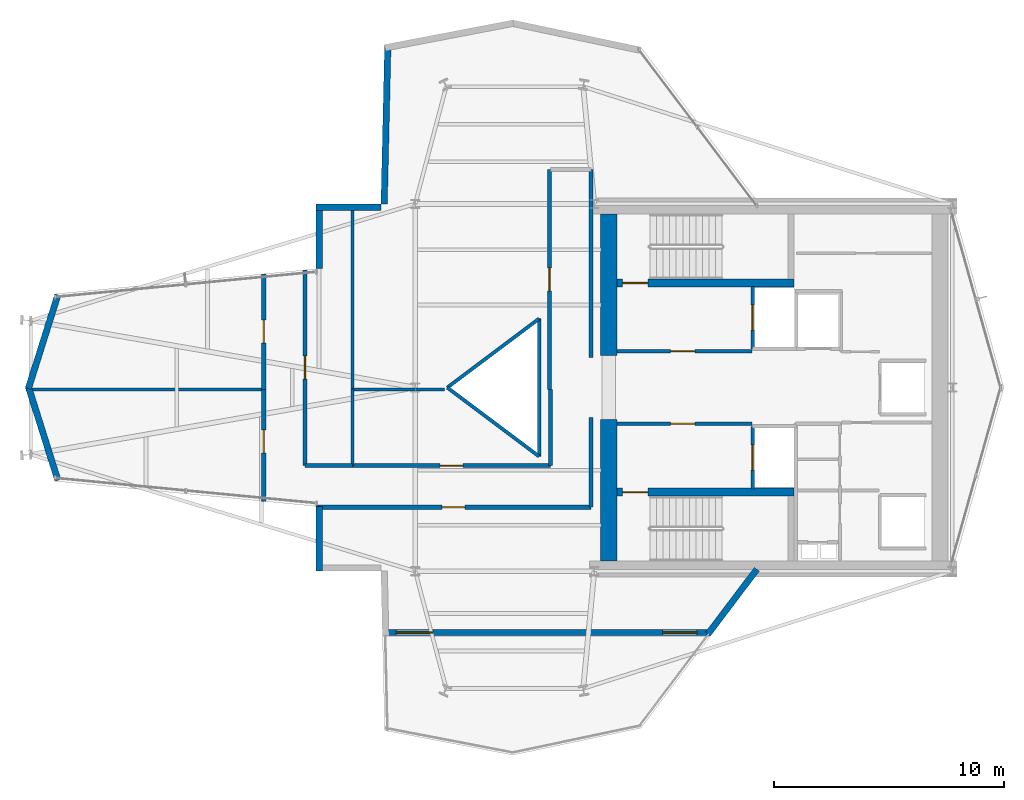
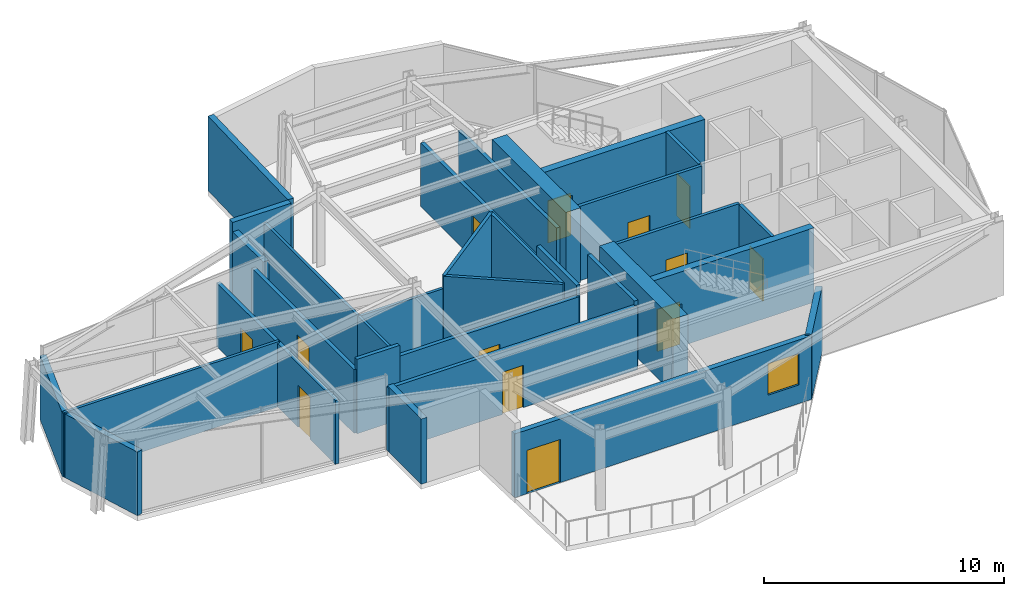
# One storey, part 18 of 21: 33 walls, 13 doors, 1 window, 14 openings.
"""IFC4 building model written with IfcOpenShell, lengths in metres."""

from ifc_helpers import new_model, si_unit, direction, frame, frame_2d, origin, place, context, subcontext, project, spatial, rectangle, extrude, material, layer, layer_set, type_object, element, fill, save


model = new_model("IFC4")

# Units and contexts
model_context = context("Model", 3, precision=1e-05, world=origin(), true_north=direction((0.0, 1.0)))
body_context = subcontext(model_context, "Body", "Model", "MODEL_VIEW")
ifc_project = project(units=[si_unit("LENGTHUNIT", "METRE"), si_unit("AREAUNIT", "SQUARE_METRE"), si_unit("VOLUMEUNIT", "CUBIC_METRE"), si_unit("PLANEANGLEUNIT", "RADIAN"), si_unit("MASSUNIT", "GRAM", prefix="KILO")], contexts=[model_context])

# Site, building, storey
site_placement = place(None, origin())
site = spatial("IfcSite", under=ifc_project, at=site_placement, CompositionType="ELEMENT")
building_placement = place(site_placement, origin())
building = spatial("IfcBuilding", under=site, at=building_placement, Name="Veymaron Broadcast Tower", CompositionType="ELEMENT")
storey_placement = place(building_placement, frame((0.0, 0.0, 240.449951171875)))
storey = spatial("IfcBuildingStorey", under=building, at=storey_placement, Name="L56", CompositionType="ELEMENT", Elevation=240.449951171875)

# Wall, openings, door, window
ifc_material_1 = material(Name="Precast concrete C40/50", Category="concrete")
ifc_layer_1 = layer(ifc_material_1, 0.25)
ifc_layer_set_1 = layer_set([ifc_layer_1], Name="Precast concrete C40/50")
wall_type_1 = type_object("IfcWallType", Name="WALL-EXT-250", PredefinedType="STANDARD", material=ifc_layer_set_1)
wall_1_placement = place(storey_placement, frame((29.771484375, 13.3291015625, 0.0), z_axis=(0.0, 0.0, 1.0), x_axis=(1.0, 0.0, 0.0)))
wall_1 = element("IfcWall", 1, at=wall_1_placement, inside=storey, type_object=wall_type_1, Name="L56 sky-terrace threshold wall", PredefinedType="STANDARD", context=body_context, shape_type="SweptSolid", body=[
    extrude(rectangle(XDim=14.301513671875, YDim=0.25, at=frame_2d((7.15087890625, 0.0))), origin(), (0.0, 0.0, 1.0), 3.240966796875),
])
opening_1_placement = place(wall_1_placement, frame((0.60009765625, 0.0, 0.0)))
opening_1 = element("IfcOpeningElement", 2, at=opening_1_placement, cuts=wall_1, Name="Opening ED-TR1", PredefinedType="OPENING", context=body_context, shape_type="SweptSolid", body=[
    extrude(rectangle(XDim=1.60009765625, YDim=2.199951171875, at=frame_2d((0.800048828125, 1.10009765625))), frame((0.0, 0.135009765625, 0.0), z_axis=(0.0, -1.0, 0.0), x_axis=(1.0, 0.0, 0.0)), (0.0, 0.0, 1.0), 0.27001953125),
])
opening_2_placement = place(wall_1_placement, frame((12.200927734375, 0.0, 0.949951171875)))
opening_2 = element("IfcOpeningElement", 3, at=opening_2_placement, cuts=wall_1, Name="Opening WN2", PredefinedType="OPENING", context=body_context, shape_type="SweptSolid", body=[
    extrude(rectangle(XDim=1.5, YDim=1.60009765625, at=frame_2d((0.75, 0.800048828125))), frame((0.0, 0.135009765625, 0.0), z_axis=(0.0, -1.0, 0.0), x_axis=(1.0, 0.0, 0.0)), (0.0, 0.0, 1.0), 0.27001953125),
])
ifc_material_2 = material(Name="Thermally broken aluminium and low-E safety glass", Category="aluminium")
door_type_1 = type_object("IfcDoorType", Name="DOOR-TERR-1600", OperationType="DOUBLE_DOOR_SINGLE_SWING", PredefinedType="DOOR", material=ifc_material_2)
door_1_placement = place(opening_1_placement, frame((1.60009765625, 0.0, 0.0), z_axis=(0.0, 0.0, 1.0), x_axis=(-1.0, 0.0, 0.0)))
door_1 = element("IfcDoor", 4, at=door_1_placement, inside=storey, type_object=door_type_1, Name="L56 sky-terrace access door", OperationType="SINGLE_SWING_LEFT", OverallHeight=2.199951171875, OverallWidth=1.60009765625, PredefinedType="DOOR", context=body_context, shape_type="SweptSolid", body=[
    extrude(rectangle(XDim=1.60009765625, YDim=2.199951171875, at=frame_2d((0.800048828125, 1.10009765625))), frame((0.0, 0.02490234375, 0.0), z_axis=(0.0, -1.0, 0.0), x_axis=(1.0, 0.0, 0.0)), (0.0, 0.0, 1.0), 0.050048828125),
])
fill(opening_1, door_1)
ifc_material_3 = material(Name="Thermally broken aluminium and acoustic laminated glass", Category="aluminium")
window_type = type_object("IfcWindowType", Name="WIN-EXT-1500", PartitioningType="SINGLE_PANEL", PredefinedType="WINDOW", material=ifc_material_3)
window_placement = place(opening_2_placement, origin())
window = element("IfcWindow", 5, at=window_placement, inside=storey, type_object=window_type, Name="L56 sky-terrace viewing window", OverallHeight=1.60009765625, OverallWidth=1.5, PartitioningType="SINGLE_PANEL", PredefinedType="WINDOW", context=body_context, shape_type="SweptSolid", body=[
    extrude(rectangle(XDim=1.5, YDim=1.60009765625, at=frame_2d((0.75, 0.800048828125))), frame((0.0, 0.030029296875, 0.0), z_axis=(0.0, -1.0, 0.0), x_axis=(1.0, 0.0, 0.0)), (0.0, 0.0, 1.0), 0.06005859375),
])
fill(opening_2, window)

# Walls
ifc_layer_2 = layer(ifc_material_1, 0.280029296875)
ifc_layer_set_2 = layer_set([ifc_layer_2], Name="Precast concrete C40/50")
wall_type_2 = type_object("IfcWallType", Name="WALL-EXT-280", PredefinedType="STANDARD", material=ifc_layer_set_2)
wall_2_placement = place(storey_placement, frame((43.961181640625, 13.2734375, 0.0), z_axis=(0.0, 0.0, 1.0), x_axis=(0.602635996318, 0.7980162003, 0.0)))
element("IfcWall", 6, at=wall_2_placement, inside=storey, type_object=wall_type_2, Name="L56 notched corner facade pier 2-1", PredefinedType="STANDARD", context=body_context, shape_type="SweptSolid", body=[
    extrude(rectangle(XDim=3.5224609375, YDim=0.280029296875, at=frame_2d((1.76123046875, 0.0))), origin(), (0.0, 0.0, 1.0), 3.319091796875),
])
wall_3_placement = place(storey_placement, frame((30.00732421875, 38.937744140625, 0.0), z_axis=(0.0, 0.0, 1.0), x_axis=(-0.023173514979, -0.999731458044, 0.0)))
element("IfcWall", 7, at=wall_3_placement, inside=storey, type_object=wall_type_2, Name="L56 notched corner facade pier 10-1", PredefinedType="STANDARD", context=body_context, shape_type="SweptSolid", body=[
    extrude(rectangle(XDim=6.94287109375, YDim=0.280029296875, at=frame_2d((3.471435546875, 0.0))), origin(), (0.0, 0.0, 1.0), 3.7900390625),
])
wall_4_placement = place(storey_placement, frame((29.70654296875, 31.860107421875, 0.0), z_axis=(0.0, 0.0, 1.0), x_axis=(-1.0, 0.0, 0.0)))
element("IfcWall", 8, at=wall_4_placement, inside=storey, type_object=wall_type_2, Name="L56 notched corner facade pier 11-1", PredefinedType="STANDARD", context=body_context, shape_type="SweptSolid", body=[
    extrude(rectangle(XDim=2.818603515625, YDim=0.280029296875, at=frame_2d((1.4091796875, 0.0))), origin(), (0.0, 0.0, 1.0), 3.7900390625),
])
wall_5_placement = place(storey_placement, frame((27.028076171875, 32.0, 0.0), z_axis=(0.0, 0.0, 1.0), x_axis=(0.0, -1.0, 0.0)))
element("IfcWall", 9, at=wall_5_placement, inside=storey, type_object=wall_type_2, Name="L56 notched corner facade pier 12-1", PredefinedType="STANDARD", context=body_context, shape_type="SweptSolid", body=[
    extrude(rectangle(XDim=2.823486328125, YDim=0.280029296875, at=frame_2d((1.41162109375, 0.0))), origin(), (0.0, 0.0, 1.0), 3.319091796875),
])
for number, where, z_axis, x_axis, name in (
    (10, (15.633544921875, 28.038330078125, 0.0), (0.0, 0.0, 1.0), (-0.300156051907, -0.953890111336, 0.0), "L56 notched corner facade pier 14-1"),
    (11, (14.349609375, 24.0419921875, 0.0), (0.0, 0.0, 1.0), (0.300156051907, -0.953890111336, 0.0), "L56 notched corner facade pier 15-1"),
):
    element("IfcWall", number, at=place(storey_placement, frame(where, z_axis=z_axis, x_axis=x_axis)), inside=storey, type_object=wall_type_2, Name=name, PredefinedType="STANDARD", context=body_context, shape_type="SweptSolid", body=[
        extrude(rectangle(XDim=4.277587890625, YDim=0.280029296875, at=frame_2d((2.138671875, 0.0))), origin(), (0.0, 0.0, 1.0), 3.240966796875),
    ])
wall_6_placement = place(storey_placement, frame((27.028076171875, 18.823486328125, 0.0), z_axis=(0.0, 0.0, 1.0), x_axis=(0.0, -1.0, 0.0)))
element("IfcWall", 12, at=wall_6_placement, inside=storey, type_object=wall_type_2, Name="L56 notched corner facade pier 17-1", PredefinedType="STANDARD", context=body_context, shape_type="SweptSolid", body=[
    extrude(rectangle(XDim=2.823486328125, YDim=0.280029296875, at=frame_2d((1.41162109375, 0.0))), origin(), (0.0, 0.0, 1.0), 3.319091796875),
])

# Wall, opening, door
ifc_material_4 = material(Name="Gypsum fireboard and steel stud framing", Category="steel")
ifc_layer_3 = layer(ifc_material_4, 0.14990234375)
ifc_layer_set_3 = layer_set([ifc_layer_3], Name="Gypsum fireboard and steel stud framing")
wall_type_3 = type_object("IfcWallType", Name="WALL-FIRE-150", PredefinedType="PARTITIONING", material=ifc_layer_set_3)
wall_7_placement = place(storey_placement, frame((39.97998046875, 25.574951171875, 0.0), z_axis=(0.0, 0.0, 1.0), x_axis=(1.0, 0.0, 0.0)))
wall_7 = element("IfcWall", 13, at=wall_7_placement, inside=storey, type_object=wall_type_3, Name="L56 partition IW-L56-FFLN-S", PredefinedType="PARTITIONING", context=body_context, shape_type="SweptSolid", body=[
    extrude(rectangle(XDim=5.89990234375, YDim=0.14990234375, at=frame_2d((2.949951171875, 0.0))), origin(), (0.0, 0.0, 1.0), 3.7900390625),
])
opening_3_placement = place(wall_7_placement, frame((2.35009765625, 0.0, 0.0)))
opening_3 = element("IfcOpeningElement", 14, at=opening_3_placement, cuts=wall_7, Name="Opening ID-FL1", PredefinedType="OPENING", context=body_context, shape_type="SweptSolid", body=[
    extrude(rectangle(XDim=1.050048828125, YDim=2.14990234375, at=frame_2d((0.52490234375, 1.074951171875))), frame((0.0, 0.0849609375, 0.0), z_axis=(0.0, -1.0, 0.0), x_axis=(1.0, 0.0, 0.0)), (0.0, 0.0, 1.0), 0.169921875),
])
ifc_material_5 = material(Name="Fire-rated painted hollow steel ASTM A653", Category="steel")
door_type_2 = type_object("IfcDoorType", Name="DOOR-FIRE-1050", OperationType="NOTDEFINED", PredefinedType="DOOR", material=ifc_material_5)
door_2_placement = place(opening_3_placement, origin())
door_2 = element("IfcDoor", 15, at=door_2_placement, inside=storey, type_object=door_type_2, Name="L56 door DR-L56-FFLN", OperationType="SINGLE_SWING_LEFT", OverallHeight=2.14990234375, OverallWidth=1.050048828125, PredefinedType="DOOR", context=body_context, shape_type="SweptSolid", body=[
    extrude(rectangle(XDim=1.050048828125, YDim=2.14990234375, at=frame_2d((0.52490234375, 1.074951171875))), frame((0.0, 0.02490234375, 0.0), z_axis=(0.0, -1.0, 0.0), x_axis=(1.0, 0.0, 0.0)), (0.0, 0.0, 1.0), 0.050048828125),
])
fill(opening_3, door_2)

wall_8_placement = place(storey_placement, frame((39.97998046875, 22.425048828125, 0.0), z_axis=(0.0, 0.0, 1.0), x_axis=(1.0, 0.0, 0.0)))
wall_8 = element("IfcWall", 16, at=wall_8_placement, inside=storey, type_object=wall_type_3, Name="L56 partition IW-L56-FFLS-N", PredefinedType="PARTITIONING", context=body_context, shape_type="SweptSolid", body=[
    extrude(rectangle(XDim=5.89990234375, YDim=0.14990234375, at=frame_2d((2.949951171875, 0.0))), origin(), (0.0, 0.0, 1.0), 3.7900390625),
])
opening_4_placement = place(wall_8_placement, frame((2.35009765625, 0.0, 0.0)))
opening_4 = element("IfcOpeningElement", 17, at=opening_4_placement, cuts=wall_8, Name="Opening ID-FL1", PredefinedType="OPENING", context=body_context, shape_type="SweptSolid", body=[
    extrude(rectangle(XDim=1.050048828125, YDim=2.14990234375, at=frame_2d((0.52490234375, 1.074951171875))), frame((0.0, 0.0849609375, 0.0), z_axis=(0.0, -1.0, 0.0), x_axis=(1.0, 0.0, 0.0)), (0.0, 0.0, 1.0), 0.169921875),
])
door_3_placement = place(opening_4_placement, frame((1.050048828125, 0.0, 0.0), z_axis=(0.0, 0.0, 1.0), x_axis=(-1.0, 0.0, 0.0)))
door_3 = element("IfcDoor", 18, at=door_3_placement, inside=storey, type_object=door_type_2, Name="L56 door DR-L56-FFLS", OperationType="SINGLE_SWING_RIGHT", OverallHeight=2.14990234375, OverallWidth=1.050048828125, PredefinedType="DOOR", context=body_context, shape_type="SweptSolid", body=[
    extrude(rectangle(XDim=1.050048828125, YDim=2.14990234375, at=frame_2d((0.52490234375, 1.074951171875))), frame((0.0, 0.02490234375, 0.0), z_axis=(0.0, -1.0, 0.0), x_axis=(1.0, 0.0, 0.0)), (0.0, 0.0, 1.0), 0.050048828125),
])
fill(opening_4, door_3)

wall_9_placement = place(storey_placement, frame((45.89501953125, 25.68994140625, 0.0), z_axis=(0.0, 0.0, 1.0), x_axis=(0.0, 1.0, 0.0)))
wall_9 = element("IfcWall", 19, at=wall_9_placement, inside=storey, type_object=wall_type_3, Name="L56 partition IW-L56-SHW-FFL-1", PredefinedType="PARTITIONING", context=body_context, shape_type="SweptSolid", body=[
    extrude(rectangle(XDim=2.719970703125, YDim=0.14990234375, at=frame_2d((1.35986328125, 0.0))), origin(), (0.0, 0.0, 1.0), 3.7900390625),
])
opening_5_placement = place(wall_9_placement, frame((0.81005859375, 0.0, 0.0)))
opening_5 = element("IfcOpeningElement", 20, at=opening_5_placement, cuts=wall_9, Name="Opening LD", PredefinedType="OPENING", context=body_context, shape_type="SweptSolid", body=[
    extrude(rectangle(XDim=1.10009765625, YDim=2.14990234375, at=frame_2d((0.550048828125, 1.074951171875))), frame((0.0, 0.0849609375, 0.0), z_axis=(0.0, -1.0, 0.0), x_axis=(1.0, 0.0, 0.0)), (0.0, 0.0, 1.0), 0.169921875),
])
ifc_material_6 = material(Name="Brushed stainless steel AISI 304", Category="steel")
door_type_3 = type_object("IfcDoorType", Name="DOOR-LIFT-1100", OperationType="DOUBLE_DOOR_SLIDING", PredefinedType="DOOR", material=ifc_material_6)
door_4_placement = place(opening_5_placement, frame((1.10009765625, 0.0, 0.0), z_axis=(0.0, 0.0, 1.0), x_axis=(-1.0, 0.0, 0.0)))
door_4 = element("IfcDoor", 21, at=door_4_placement, inside=storey, type_object=door_type_3, Name="L56 door LD-L56-FFL-1", OperationType="DOUBLE_DOOR_SLIDING", OverallHeight=2.14990234375, OverallWidth=1.10009765625, PredefinedType="DOOR", context=body_context, shape_type="SweptSolid", body=[
    extrude(rectangle(XDim=1.10009765625, YDim=2.14990234375, at=frame_2d((0.550048828125, 1.074951171875))), frame((0.0, 0.02490234375, 0.0), z_axis=(0.0, -1.0, 0.0), x_axis=(1.0, 0.0, 0.0)), (0.0, 0.0, 1.0), 0.050048828125),
])
fill(opening_5, door_4)

wall_10_placement = place(storey_placement, frame((45.89501953125, 19.590087890625, 0.0), z_axis=(0.0, 0.0, 1.0), x_axis=(0.0, 1.0, 0.0)))
wall_10 = element("IfcWall", 22, at=wall_10_placement, inside=storey, type_object=wall_type_3, Name="L56 partition IW-L56-SHW-FFL-2", PredefinedType="PARTITIONING", context=body_context, shape_type="SweptSolid", body=[
    extrude(rectangle(XDim=2.719970703125, YDim=0.14990234375, at=frame_2d((1.35986328125, 0.0))), origin(), (0.0, 0.0, 1.0), 3.7900390625),
])
opening_6_placement = place(wall_10_placement, frame((0.81005859375, 0.0, 0.0)))
opening_6 = element("IfcOpeningElement", 23, at=opening_6_placement, cuts=wall_10, Name="Opening LD", PredefinedType="OPENING", context=body_context, shape_type="SweptSolid", body=[
    extrude(rectangle(XDim=1.10009765625, YDim=2.14990234375, at=frame_2d((0.550048828125, 1.074951171875))), frame((0.0, 0.0849609375, 0.0), z_axis=(0.0, -1.0, 0.0), x_axis=(1.0, 0.0, 0.0)), (0.0, 0.0, 1.0), 0.169921875),
])
door_5_placement = place(opening_6_placement, frame((1.10009765625, 0.0, 0.0), z_axis=(0.0, 0.0, 1.0), x_axis=(-1.0, 0.0, 0.0)))
door_5 = element("IfcDoor", 24, at=door_5_placement, inside=storey, type_object=door_type_3, Name="L56 door LD-L56-FFL-2", OperationType="DOUBLE_DOOR_SLIDING", OverallHeight=2.14990234375, OverallWidth=1.10009765625, PredefinedType="DOOR", context=body_context, shape_type="SweptSolid", body=[
    extrude(rectangle(XDim=1.10009765625, YDim=2.14990234375, at=frame_2d((0.550048828125, 1.074951171875))), frame((0.0, 0.02490234375, 0.0), z_axis=(0.0, -1.0, 0.0), x_axis=(1.0, 0.0, 0.0)), (0.0, 0.0, 1.0), 0.050048828125),
])
fill(opening_6, door_5)

ifc_material_7 = material(Name="Concrete C40/50", Category="concrete")
ifc_layer_4 = layer(ifc_material_7, 0.179931640625)
ifc_layer_set_4 = layer_set([ifc_layer_4], Name="Concrete C40/50")
wall_type_4 = type_object("IfcWallType", Name="WALL-FIRE-180", PredefinedType="SOLIDWALL", material=ifc_layer_set_4)
wall_11_placement = place(storey_placement, frame((26.887939453125, 18.7890625, 0.0), z_axis=(0.0, 0.0, 1.0), x_axis=(1.0, 0.0, 0.0)))
wall_11 = element("IfcWall", 25, at=wall_11_placement, inside=storey, type_object=wall_type_4, Name="L56 partition IW-L56-P01", PredefinedType="SOLIDWALL", context=body_context, shape_type="SweptSolid", body=[
    extrude(rectangle(XDim=11.962158203125, YDim=0.179931640625, at=frame_2d((5.98095703125, 0.0))), origin(), (0.0, 0.0, 1.0), 3.240966796875),
])
opening_7_placement = place(wall_11_placement, frame((5.48095703125, 0.0, 0.0)))
opening_7 = element("IfcOpeningElement", 26, at=opening_7_placement, cuts=wall_11, Name="Opening ID-RM3", PredefinedType="OPENING", context=body_context, shape_type="SweptSolid", body=[
    extrude(rectangle(XDim=1.0, YDim=2.14990234375, at=frame_2d((0.5, 1.074951171875))), frame((0.0, 0.10009765625, 0.0), z_axis=(0.0, -1.0, 0.0), x_axis=(1.0, 0.0, 0.0)), (0.0, 0.0, 1.0), 0.199951171875),
])
ifc_material_8 = material(Name="Acoustic solid-core European oak veneer timber", Category="wood")
door_type_4 = type_object("IfcDoorType", Name="DOOR-INT-1000", OperationType="NOTDEFINED", PredefinedType="DOOR", material=ifc_material_8)
door_6_placement = place(opening_7_placement, frame((1.0, 0.0, 0.0), z_axis=(0.0, 0.0, 1.0), x_axis=(-1.0, 0.0, 0.0)))
door_6 = element("IfcDoor", 27, at=door_6_placement, inside=storey, type_object=door_type_4, Name="L56 door DR-L56-P01", OperationType="SINGLE_SWING_RIGHT", OverallHeight=2.14990234375, OverallWidth=1.0, PredefinedType="DOOR", context=body_context, shape_type="SweptSolid", body=[
    extrude(rectangle(XDim=1.0, YDim=2.14990234375, at=frame_2d((0.5, 1.074951171875))), frame((0.0, 0.02490234375, 0.0), z_axis=(0.0, -1.0, 0.0), x_axis=(1.0, 0.0, 0.0)), (0.0, 0.0, 1.0), 0.050048828125),
])
fill(opening_7, door_6)

wall_12_placement = place(storey_placement, frame((24.60009765625, 19.043701171875, 0.0), z_axis=(0.0, 0.0, 1.0), x_axis=(0.0, 1.0, 0.0)))
wall_12 = element("IfcWall", 28, at=wall_12_placement, inside=storey, type_object=wall_type_4, Name="L56 partition IW-L56-P03", PredefinedType="SOLIDWALL", context=body_context, shape_type="SweptSolid", body=[
    extrude(rectangle(XDim=4.874267578125, YDim=0.179931640625, at=frame_2d((2.43701171875, 0.0))), origin(), (0.0, 0.0, 1.0), 3.240966796875),
])
opening_8_placement = place(wall_12_placement, frame((2.1171875, 0.0, 0.0)))
opening_8 = element("IfcOpeningElement", 29, at=opening_8_placement, cuts=wall_12, Name="Opening ID-RM3", PredefinedType="OPENING", context=body_context, shape_type="SweptSolid", body=[
    extrude(rectangle(XDim=1.0, YDim=2.14990234375, at=frame_2d((0.5, 1.074951171875))), frame((0.0, 0.10009765625, 0.0), z_axis=(0.0, -1.0, 0.0), x_axis=(1.0, 0.0, 0.0)), (0.0, 0.0, 1.0), 0.199951171875),
])
door_7_placement = place(opening_8_placement, origin())
door_7 = element("IfcDoor", 30, at=door_7_placement, inside=storey, type_object=door_type_4, Name="L56 door DR-L56-P03", OperationType="SINGLE_SWING_RIGHT", OverallHeight=2.14990234375, OverallWidth=1.0, PredefinedType="DOOR", context=body_context, shape_type="SweptSolid", body=[
    extrude(rectangle(XDim=1.0, YDim=2.14990234375, at=frame_2d((0.5, 1.074951171875))), frame((0.0, 0.02490234375, 0.0), z_axis=(0.0, -1.0, 0.0), x_axis=(1.0, 0.0, 0.0)), (0.0, 0.0, 1.0), 0.050048828125),
])
fill(opening_8, door_7)

wall_13_placement = place(storey_placement, frame((28.4609375, 20.60009765625, 0.0), z_axis=(0.0, 0.0, 1.0), x_axis=(1.0, 0.0, 0.0)))
wall_13 = element("IfcWall", 31, at=wall_13_placement, inside=storey, type_object=wall_type_4, Name="L56 partition IW-L56-P04", PredefinedType="SOLIDWALL", context=body_context, shape_type="SweptSolid", body=[
    extrude(rectangle(XDim=8.63916015625, YDim=0.179931640625, at=frame_2d((4.319580078125, 0.0))), origin(), (0.0, 0.0, 1.0), 3.240966796875),
])
opening_9_placement = place(wall_13_placement, frame((3.819580078125, 0.0, 0.0)))
opening_9 = element("IfcOpeningElement", 32, at=opening_9_placement, cuts=wall_13, Name="Opening ID-RM3", PredefinedType="OPENING", context=body_context, shape_type="SweptSolid", body=[
    extrude(rectangle(XDim=1.0, YDim=2.14990234375, at=frame_2d((0.5, 1.074951171875))), frame((0.0, 0.10009765625, 0.0), z_axis=(0.0, -1.0, 0.0), x_axis=(1.0, 0.0, 0.0)), (0.0, 0.0, 1.0), 0.199951171875),
])
door_8_placement = place(opening_9_placement, origin())
door_8 = element("IfcDoor", 33, at=door_8_placement, inside=storey, type_object=door_type_4, Name="L56 door DR-L56-P04", OperationType="SINGLE_SWING_LEFT", OverallHeight=2.14990234375, OverallWidth=1.0, PredefinedType="DOOR", context=body_context, shape_type="SweptSolid", body=[
    extrude(rectangle(XDim=1.0, YDim=2.14990234375, at=frame_2d((0.5, 1.074951171875))), frame((0.0, 0.02490234375, 0.0), z_axis=(0.0, -1.0, 0.0), x_axis=(1.0, 0.0, 0.0)), (0.0, 0.0, 1.0), 0.050048828125),
])
fill(opening_9, door_8)

wall_14_placement = place(storey_placement, frame((26.39990234375, 20.60009765625, 0.0), z_axis=(0.0, 0.0, 1.0), x_axis=(0.0, 1.0, 0.0)))
wall_14 = element("IfcWall", 34, at=wall_14_placement, inside=storey, type_object=wall_type_4, Name="L56 partition IW-L56-P06", PredefinedType="SOLIDWALL", context=body_context, shape_type="SweptSolid", body=[
    extrude(rectangle(XDim=8.529296875, YDim=0.179931640625, at=frame_2d((4.2646484375, 0.0))), origin(), (0.0, 0.0, 1.0), 3.240966796875),
])
opening_10_placement = place(wall_14_placement, frame((3.7646484375, 0.0, 0.0)))
opening_10 = element("IfcOpeningElement", 35, at=opening_10_placement, cuts=wall_14, Name="Opening ID-RM3", PredefinedType="OPENING", context=body_context, shape_type="SweptSolid", body=[
    extrude(rectangle(XDim=1.0, YDim=2.14990234375, at=frame_2d((0.5, 1.074951171875))), frame((0.0, 0.10009765625, 0.0), z_axis=(0.0, -1.0, 0.0), x_axis=(1.0, 0.0, 0.0)), (0.0, 0.0, 1.0), 0.199951171875),
])
door_9_placement = place(opening_10_placement, frame((1.0, 0.0, 0.0), z_axis=(0.0, 0.0, 1.0), x_axis=(-1.0, 0.0, 0.0)))
door_9 = element("IfcDoor", 36, at=door_9_placement, inside=storey, type_object=door_type_4, Name="L56 door DR-L56-P06", OperationType="SINGLE_SWING_LEFT", OverallHeight=2.14990234375, OverallWidth=1.0, PredefinedType="DOOR", context=body_context, shape_type="SweptSolid", body=[
    extrude(rectangle(XDim=1.0, YDim=2.14990234375, at=frame_2d((0.5, 1.074951171875))), frame((0.0, 0.02490234375, 0.0), z_axis=(0.0, -1.0, 0.0), x_axis=(1.0, 0.0, 0.0)), (0.0, 0.0, 1.0), 0.050048828125),
])
fill(opening_10, door_9)

wall_15_placement = place(storey_placement, frame((24.60009765625, 23.91796875, 0.0), z_axis=(0.0, 0.0, 1.0), x_axis=(0.0, 1.0, 0.0)))
wall_15 = element("IfcWall", 37, at=wall_15_placement, inside=storey, type_object=wall_type_4, Name="L56 partition IW-L56-P08", PredefinedType="SOLIDWALL", context=body_context, shape_type="SweptSolid", body=[
    extrude(rectangle(XDim=5.038330078125, YDim=0.179931640625, at=frame_2d((2.51904296875, 0.0))), origin(), (0.0, 0.0, 1.0), 3.240966796875),
])
opening_11_placement = place(wall_15_placement, frame((2.01904296875, 0.0, 0.0)))
opening_11 = element("IfcOpeningElement", 38, at=opening_11_placement, cuts=wall_15, Name="Opening ID-RM3", PredefinedType="OPENING", context=body_context, shape_type="SweptSolid", body=[
    extrude(rectangle(XDim=1.0, YDim=2.14990234375, at=frame_2d((0.5, 1.074951171875))), frame((0.0, 0.10009765625, 0.0), z_axis=(0.0, -1.0, 0.0), x_axis=(1.0, 0.0, 0.0)), (0.0, 0.0, 1.0), 0.199951171875),
])
door_10_placement = place(opening_11_placement, origin())
door_10 = element("IfcDoor", 39, at=door_10_placement, inside=storey, type_object=door_type_4, Name="L56 door DR-L56-P08", OperationType="SINGLE_SWING_LEFT", OverallHeight=2.14990234375, OverallWidth=1.0, PredefinedType="DOOR", context=body_context, shape_type="SweptSolid", body=[
    extrude(rectangle(XDim=1.0, YDim=2.14990234375, at=frame_2d((0.5, 1.074951171875))), frame((0.0, 0.02490234375, 0.0), z_axis=(0.0, -1.0, 0.0), x_axis=(1.0, 0.0, 0.0)), (0.0, 0.0, 1.0), 0.050048828125),
])
fill(opening_11, door_10)

wall_16_placement = place(storey_placement, frame((37.050048828125, 23.91796875, 0.0), z_axis=(0.0, 0.0, 1.0), x_axis=(0.0, 1.0, 0.0)))
wall_16 = element("IfcWall", 40, at=wall_16_placement, inside=storey, type_object=wall_type_4, Name="L56 partition IW-L56-P09", PredefinedType="SOLIDWALL", context=body_context, shape_type="SweptSolid", body=[
    extrude(rectangle(XDim=9.58203125, YDim=0.179931640625, at=frame_2d((4.791015625, 0.0))), origin(), (0.0, 0.0, 1.0), 3.240966796875),
])
opening_12_placement = place(wall_16_placement, frame((4.291015625, 0.0, 0.0)))
opening_12 = element("IfcOpeningElement", 41, at=opening_12_placement, cuts=wall_16, Name="Opening ID-RM3", PredefinedType="OPENING", context=body_context, shape_type="SweptSolid", body=[
    extrude(rectangle(XDim=1.0, YDim=2.14990234375, at=frame_2d((0.5, 1.074951171875))), frame((0.0, 0.10009765625, 0.0), z_axis=(0.0, -1.0, 0.0), x_axis=(1.0, 0.0, 0.0)), (0.0, 0.0, 1.0), 0.199951171875),
])
door_11_placement = place(opening_12_placement, origin())
door_11 = element("IfcDoor", 42, at=door_11_placement, inside=storey, type_object=door_type_4, Name="L56 door DR-L56-P09", OperationType="SINGLE_SWING_RIGHT", OverallHeight=2.14990234375, OverallWidth=1.0, PredefinedType="DOOR", context=body_context, shape_type="SweptSolid", body=[
    extrude(rectangle(XDim=1.0, YDim=2.14990234375, at=frame_2d((0.5, 1.074951171875))), frame((0.0, 0.02490234375, 0.0), z_axis=(0.0, -1.0, 0.0), x_axis=(1.0, 0.0, 0.0)), (0.0, 0.0, 1.0), 0.050048828125),
])
fill(opening_12, door_11)

# Walls
wall_17_placement = place(storey_placement, frame((38.85009765625, 18.800048828125, 0.0), z_axis=(0.0, 0.0, 1.0), x_axis=(0.0, 1.0, 0.0)))
element("IfcWall", 43, at=wall_17_placement, inside=storey, type_object=wall_type_4, Name="L56 partition IW-L56-P02", PredefinedType="SOLIDWALL", context=body_context, shape_type="SweptSolid", body=[
    extrude(rectangle(XDim=3.89990234375, YDim=0.179931640625, at=frame_2d((1.949951171875, 0.0))), origin(), (0.0, 0.0, 1.0), 3.468017578125),
])
wall_18_placement = place(storey_placement, frame((37.10009765625, 20.60009765625, 0.0), z_axis=(0.0, 0.0, 1.0), x_axis=(0.0, 1.0, 0.0)))
element("IfcWall", 44, at=wall_18_placement, inside=storey, type_object=wall_type_4, Name="L56 partition IW-L56-P05", PredefinedType="SOLIDWALL", context=body_context, shape_type="SweptSolid", body=[
    extrude(rectangle(XDim=3.31787109375, YDim=0.179931640625, at=frame_2d((1.658935546875, 0.0))), origin(), (0.0, 0.0, 1.0), 3.7900390625),
])
wall_19_placement = place(storey_placement, frame((26.39990234375, 20.60009765625, 0.0), z_axis=(0.0, 0.0, 1.0), x_axis=(1.0, 0.0, 0.0)))
element("IfcWall", 45, at=wall_19_placement, inside=storey, type_object=wall_type_4, Name="L56 partition IW-L56-P07", PredefinedType="SOLIDWALL", context=body_context, shape_type="SweptSolid", body=[
    extrude(rectangle(XDim=2.06103515625, YDim=0.179931640625, at=frame_2d((1.030517578125, 0.0))), origin(), (0.0, 0.0, 1.0), 3.7900390625),
])
wall_20_placement = place(storey_placement, frame((38.85009765625, 25.300048828125, 0.0), z_axis=(0.0, 0.0, 1.0), x_axis=(0.0, 1.0, 0.0)))
element("IfcWall", 46, at=wall_20_placement, inside=storey, type_object=wall_type_4, Name="L56 partition IW-L56-P10", PredefinedType="SOLIDWALL", context=body_context, shape_type="SweptSolid", body=[
    extrude(rectangle(XDim=8.199951171875, YDim=0.179931640625, at=frame_2d((4.10009765625, 0.0))), origin(), (0.0, 0.0, 1.0), 3.240966796875),
])
ifc_material_9 = material(Name="Fire-rated laminated glass in aluminium frame", Category="aluminium")
ifc_layer_5 = layer(ifc_material_9, 0.14990234375)
ifc_layer_set_5 = layer_set([ifc_layer_5], Name="Fire-rated laminated glass in aluminium frame")
wall_type_5 = type_object("IfcWallType", Name="WALL-GLZ-150", PredefinedType="MOVABLE", material=ifc_layer_set_5)
wall_21_placement = place(storey_placement, frame((32.60009765625, 24.0, 0.0), z_axis=(0.0, 0.0, 1.0), x_axis=(0.8, -0.6, 0.0)))
element("IfcWall", 47, at=wall_21_placement, inside=storey, type_object=wall_type_5, Name="L56 partition IW-L56-ATR1", PredefinedType="MOVABLE", context=body_context, shape_type="SweptSolid", body=[
    extrude(rectangle(XDim=5.0, YDim=0.14990234375, at=frame_2d((2.5, 0.0))), origin(), (0.0, 0.0, 1.0), 3.7900390625),
])
wall_22_placement = place(storey_placement, frame((36.60009765625, 21.0, 0.0), z_axis=(0.0, 0.0, 1.0), x_axis=(0.0, 1.0, 0.0)))
element("IfcWall", 48, at=wall_22_placement, inside=storey, type_object=wall_type_5, Name="L56 partition IW-L56-ATR2", PredefinedType="MOVABLE", context=body_context, shape_type="SweptSolid", body=[
    extrude(rectangle(XDim=6.0, YDim=0.14990234375, at=frame_2d((3.0, 0.0))), origin(), (0.0, 0.0, 1.0), 3.7900390625),
])
wall_23_placement = place(storey_placement, frame((36.60009765625, 27.0, 0.0), z_axis=(0.0, 0.0, 1.0), x_axis=(-0.8, -0.6, 0.0)))
element("IfcWall", 49, at=wall_23_placement, inside=storey, type_object=wall_type_5, Name="L56 partition IW-L56-ATR3", PredefinedType="MOVABLE", context=body_context, shape_type="SweptSolid", body=[
    extrude(rectangle(XDim=5.0, YDim=0.14990234375, at=frame_2d((2.5, 0.0))), origin(), (0.0, 0.0, 1.0), 3.7900390625),
])
ifc_material_10 = material(Name="Double-layer acoustic gypsum and stud", Category="gypsum")
ifc_layer_6 = layer(ifc_material_10, 0.135009765625)
ifc_layer_set_6 = layer_set([ifc_layer_6], Name="Double-layer acoustic gypsum and stud")
wall_type_6 = type_object("IfcWallType", Name="WALL-PART-135", PredefinedType="PARTITIONING", material=ifc_layer_set_6)
wall_24_placement = place(storey_placement, frame((14.24169921875, 23.91796875, 0.0), z_axis=(0.0, 0.0, 1.0), x_axis=(1.0, 0.0, 0.0)))
element("IfcWall", 50, at=wall_24_placement, inside=storey, type_object=wall_type_6, Name="L56 partition IW-L56-P12", PredefinedType="PARTITIONING", context=body_context, shape_type="SweptSolid", body=[
    extrude(rectangle(XDim=10.3583984375, YDim=0.135009765625, at=frame_2d((5.17919921875, 0.0))), origin(), (0.0, 0.0, 1.0), 3.319091796875),
])
wall_25_placement = place(storey_placement, frame((28.4609375, 20.60009765625, 0.0), z_axis=(0.0, 0.0, 1.0), x_axis=(0.0, 1.0, 0.0)))
element("IfcWall", 51, at=wall_25_placement, inside=storey, type_object=wall_type_6, Name="L56 partition IW-L56-P13", PredefinedType="PARTITIONING", context=body_context, shape_type="SweptSolid", body=[
    extrude(rectangle(XDim=3.31787109375, YDim=0.135009765625, at=frame_2d((1.658935546875, 0.0))), origin(), (0.0, 0.0, 1.0), 3.240966796875),
])
wall_26_placement = place(storey_placement, frame((28.4609375, 23.91796875, 0.0), z_axis=(0.0, 0.0, 1.0), x_axis=(1.0, 0.0, 0.0)))
element("IfcWall", 52, at=wall_26_placement, inside=storey, type_object=wall_type_6, Name="L56 partition IW-L56-P14", PredefinedType="PARTITIONING", context=body_context, shape_type="SweptSolid", body=[
    extrude(rectangle(XDim=4.013671875, YDim=0.135009765625, at=frame_2d((2.0068359375, 0.0))), origin(), (0.0, 0.0, 1.0), 3.240966796875),
])
wall_27_placement = place(storey_placement, frame((28.4609375, 23.91796875, 0.0), z_axis=(0.0, 0.0, 1.0), x_axis=(0.0, 1.0, 0.0)))
element("IfcWall", 53, at=wall_27_placement, inside=storey, type_object=wall_type_6, Name="L56 partition IW-L56-P15", PredefinedType="PARTITIONING", context=body_context, shape_type="SweptSolid", body=[
    extrude(rectangle(XDim=8.08203125, YDim=0.135009765625, at=frame_2d((4.041015625, 0.0))), origin(), (0.0, 0.0, 1.0), 3.240966796875),
])

# Wall, opening, door
ifc_material_11 = material(Name="Concrete C50/60", Category="concrete")
ifc_layer_7 = layer(ifc_material_11, 0.35009765625)
ifc_layer_set_7 = layer_set([ifc_layer_7], Name="Concrete C50/60")
wall_type_7 = type_object("IfcWallType", Name="WALL-SHEAR-350", PredefinedType="SHEAR", material=ifc_layer_set_7)
wall_28_placement = place(storey_placement, frame((39.97998046875, 28.554931640625, 0.0), z_axis=(0.0, 0.0, 1.0), x_axis=(1.0, 0.0, 0.0)))
wall_28 = element("IfcWall", 54, at=wall_28_placement, inside=storey, type_object=wall_type_7, Name="L56 Core Wall north stair spine", PredefinedType="SHEAR", context=body_context, shape_type="SweptSolid", body=[
    extrude(rectangle(XDim=7.7099609375, YDim=0.35009765625, at=frame_2d((3.85498046875, 0.0))), origin(), (0.0, 0.0, 1.0), 3.7900390625),
])
opening_13_placement = place(wall_28_placement, frame((0.25, 0.0, 0.0)))
opening_13 = element("IfcOpeningElement", 55, at=opening_13_placement, cuts=wall_28, Name="Opening ID-ST1", PredefinedType="OPENING", context=body_context, shape_type="SweptSolid", body=[
    extrude(rectangle(XDim=1.10009765625, YDim=2.14990234375, at=frame_2d((0.550048828125, 1.074951171875))), frame((0.0, 0.18505859375, 0.0), z_axis=(0.0, -1.0, 0.0), x_axis=(1.0, 0.0, 0.0)), (0.0, 0.0, 1.0), 0.3701171875),
])
door_type_5 = type_object("IfcDoorType", Name="DOOR-STAIR-1100", OperationType="NOTDEFINED", PredefinedType="DOOR", material=ifc_material_5)
door_12_placement = place(opening_13_placement, origin())
door_12 = element("IfcDoor", 56, at=door_12_placement, inside=storey, type_object=door_type_5, Name="L56 exit stair ST1 fire door", OperationType="SINGLE_SWING_LEFT", OverallHeight=2.14990234375, OverallWidth=1.10009765625, PredefinedType="DOOR", context=body_context, shape_type="SweptSolid", body=[
    extrude(rectangle(XDim=1.10009765625, YDim=2.14990234375, at=frame_2d((0.550048828125, 1.074951171875))), frame((0.0, 0.02490234375, 0.0), z_axis=(0.0, -1.0, 0.0), x_axis=(1.0, 0.0, 0.0)), (0.0, 0.0, 1.0), 0.050048828125),
])
fill(opening_13, door_12)

wall_29_placement = place(storey_placement, frame((39.97998046875, 19.445068359375, 0.0), z_axis=(0.0, 0.0, 1.0), x_axis=(1.0, 0.0, 0.0)))
wall_29 = element("IfcWall", 57, at=wall_29_placement, inside=storey, type_object=wall_type_7, Name="L56 Core Wall south stair spine", PredefinedType="SHEAR", context=body_context, shape_type="SweptSolid", body=[
    extrude(rectangle(XDim=7.7099609375, YDim=0.35009765625, at=frame_2d((3.85498046875, 0.0))), origin(), (0.0, 0.0, 1.0), 3.7900390625),
])
opening_14_placement = place(wall_29_placement, frame((0.25, 0.0, 0.0)))
opening_14 = element("IfcOpeningElement", 58, at=opening_14_placement, cuts=wall_29, Name="Opening ID-ST1", PredefinedType="OPENING", context=body_context, shape_type="SweptSolid", body=[
    extrude(rectangle(XDim=1.10009765625, YDim=2.14990234375, at=frame_2d((0.550048828125, 1.074951171875))), frame((0.0, 0.18505859375, 0.0), z_axis=(0.0, -1.0, 0.0), x_axis=(1.0, 0.0, 0.0)), (0.0, 0.0, 1.0), 0.3701171875),
])
door_13_placement = place(opening_14_placement, frame((1.10009765625, 0.0, 0.0), z_axis=(0.0, 0.0, 1.0), x_axis=(-1.0, 0.0, 0.0)))
door_13 = element("IfcDoor", 59, at=door_13_placement, inside=storey, type_object=door_type_5, Name="L56 exit stair ST2 fire door", OperationType="SINGLE_SWING_RIGHT", OverallHeight=2.14990234375, OverallWidth=1.10009765625, PredefinedType="DOOR", context=body_context, shape_type="SweptSolid", body=[
    extrude(rectangle(XDim=1.10009765625, YDim=2.14990234375, at=frame_2d((0.550048828125, 1.074951171875))), frame((0.0, 0.02490234375, 0.0), z_axis=(0.0, -1.0, 0.0), x_axis=(1.0, 0.0, 0.0)), (0.0, 0.0, 1.0), 0.050048828125),
])
fill(opening_14, door_13)

# Walls
ifc_material_12 = material(Name="Concrete C60/75", Category="concrete")
ifc_layer_8 = layer(ifc_material_12, 0.699951171875)
ifc_layer_set_8 = layer_set([ifc_layer_8], Name="Concrete C60/75")
wall_type_8 = type_object("IfcWallType", Name="WALL-SHEAR-700", PredefinedType="SHEAR", material=ifc_layer_set_8)
for number, where, z_axis, x_axis, name in (
    (60, (39.6298828125, 16.449951171875, 0.0), (0.0, 0.0, 1.0), (0.0, 1.0, 0.0), "L56 Core Wall west-south shear"),
    (61, (39.6298828125, 25.39990234375, 0.0), (0.0, 0.0, 1.0), (0.0, 1.0, 0.0), "L56 Core Wall west-north shear"),
):
    element("IfcWall", number, at=place(storey_placement, frame(where, z_axis=z_axis, x_axis=x_axis)), inside=storey, type_object=wall_type_8, Name=name, PredefinedType="SHEAR", context=body_context, shape_type="SweptSolid", body=[
        extrude(rectangle(XDim=6.150146484375, YDim=0.699951171875, at=frame_2d((3.0751953125, 0.0))), origin(), (0.0, 0.0, 1.0), 3.7900390625),
    ])

save(model, "model.ifc")
